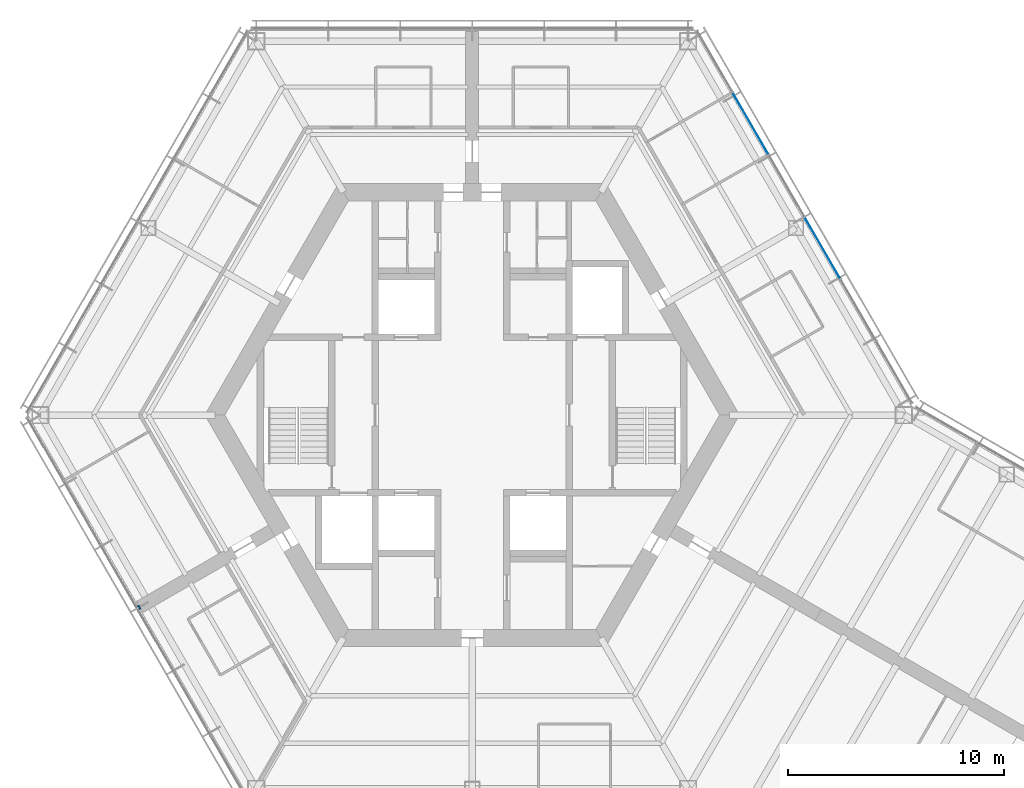
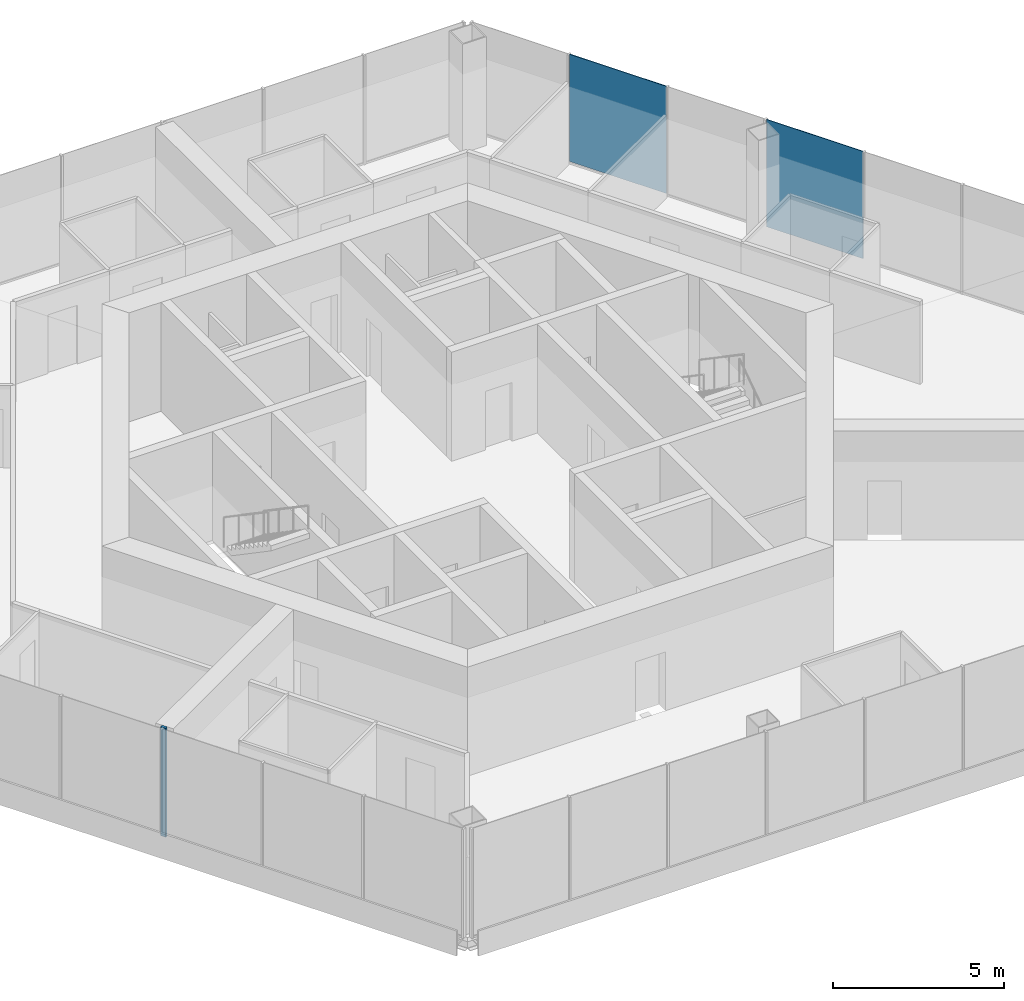
# One storey, part 9 of 15: 2 plates, 1 wall, 1 element without a shape of its own.
"""IFC4 building model written with IfcOpenShell, lengths in metres."""

from ifc_helpers import new_model, si_unit, direction, frame, frame_2d, origin, origin_2d, place, context, subcontext, project, spatial, rectangle, extrude, material, layer, layer_set, type_object, element, aggregate, save


model = new_model("IFC4")

# Units and contexts
model_context = context("Model", 3, precision=1e-05, world=origin(), true_north=direction((0.0, 1.0)))
body_context = subcontext(model_context, "Body", "Model", "MODEL_VIEW")
ifc_project = project(units=[si_unit("LENGTHUNIT", "METRE"), si_unit("AREAUNIT", "SQUARE_METRE"), si_unit("VOLUMEUNIT", "CUBIC_METRE"), si_unit("PLANEANGLEUNIT", "RADIAN"), si_unit("MASSUNIT", "GRAM", prefix="KILO")], contexts=[model_context])

# Site, building, storey
site_placement = place(None, origin())
site = spatial("IfcSite", under=ifc_project, at=site_placement, CompositionType="ELEMENT")
building_placement = place(site_placement, origin())
building = spatial("IfcBuilding", under=site, at=building_placement, Name="Kasaneha Research Tower", CompositionType="ELEMENT")
storey_placement = place(building_placement, frame((0.0, 0.0, 240.10009765625)))
storey = spatial("IfcBuildingStorey", under=building, at=storey_placement, Name="L60", CompositionType="ELEMENT", Elevation=240.10009765625)

# Curtain wall, plates
ifc_material_1 = material(Name="Glass and aluminium", Category="aluminium")
curtain_wall_type = type_object("IfcCurtainWallType", Name="High-rise office curtain wall", PredefinedType="USERDEFINED", material=ifc_material_1)
curtain_wall_placement = place(storey_placement, origin())
curtain_wall = element("IfcCurtainWall", 1, at=curtain_wall_placement, inside=storey, type_object=curtain_wall_type, Name="CW-O3 L60 run 01a", ObjectType="UNITISED CURTAIN WALL", PredefinedType="USERDEFINED")
ifc_material_2 = material(Name="Laminated double glazing", Category="glass")
ifc_layer_1 = layer(ifc_material_2, 0.02392578125)
ifc_layer_set_1 = layer_set([ifc_layer_1], Name="CW-O3 glazed panel")
plate_type = type_object("IfcPlateType", Name="CW-O3 glazed panel", PredefinedType="CURTAIN_PANEL", material=ifc_layer_set_1)
plate_1_placement = place(storey_placement, frame((16.2255859375, 7.737548828125, 0.06005859375), z_axis=(0.0, 0.0, 1.0), x_axis=(-0.499999979232, 0.866025415775, 0.0)))
plate_1 = element("IfcPlate", 2, at=plate_1_placement, type_object=plate_type, Name="CW-O3 panel 3", PredefinedType="CURTAIN_PANEL", context=body_context, shape_type="SweptSolid", body=[
    extrude(rectangle(XDim=3.27099609375, YDim=0.02392578125, at=origin_2d()), origin(), (0.0, 0.0, 1.0), 3.840087890625),
])
plate_2_placement = place(storey_placement, frame((12.89453125, 13.5068359375, 0.06005859375), z_axis=(0.0, 0.0, 1.0), x_axis=(-0.499999979232, 0.866025415775, 0.0)))
plate_2 = element("IfcPlate", 3, at=plate_2_placement, type_object=plate_type, Name="CW-O3 panel 5", PredefinedType="CURTAIN_PANEL", context=body_context, shape_type="SweptSolid", body=[
    extrude(rectangle(XDim=3.27099609375, YDim=0.02392578125, at=origin_2d()), origin(), (0.0, 0.0, 1.0), 3.840087890625),
])
aggregate(curtain_wall, [plate_1, plate_2])

# Wall
ifc_material_3 = material(Name="Gypsum board on steel studs, two layers each side", Category="steel")
ifc_layer_2 = layer(ifc_material_3, 0.175048828125)
ifc_layer_set_2 = layer_set([ifc_layer_2], Name="Tenancy fire partition 175")
wall_type = type_object("IfcWallType", Name="Tenancy fire partition 175", PredefinedType="PARTITIONING", material=ifc_layer_set_2)
wall_placement = place(storey_placement, frame((-15.3896484375, -8.88525390625, 0.0), z_axis=(0.0, 0.0, 1.0), x_axis=(-0.866472036435, -0.499225610396, 0.0)))
element("IfcWall", 4, at=wall_placement, inside=storey, type_object=wall_type, Name="Spine wall closer SW4-600 L60", PredefinedType="PARTITIONING", context=body_context, shape_type="SweptSolid", body=[
    extrude(rectangle(XDim=0.085205078125, YDim=0.175048828125, at=frame_2d((0.04248046875, 0.0))), origin(), (0.0, 0.0, 1.0), 3.89990234375),
])

save(model, "model.ifc")
